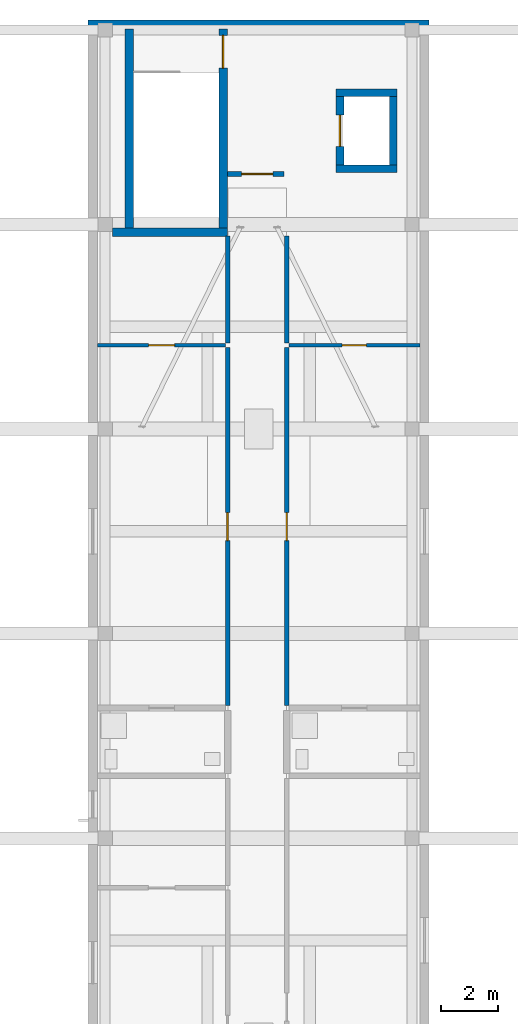
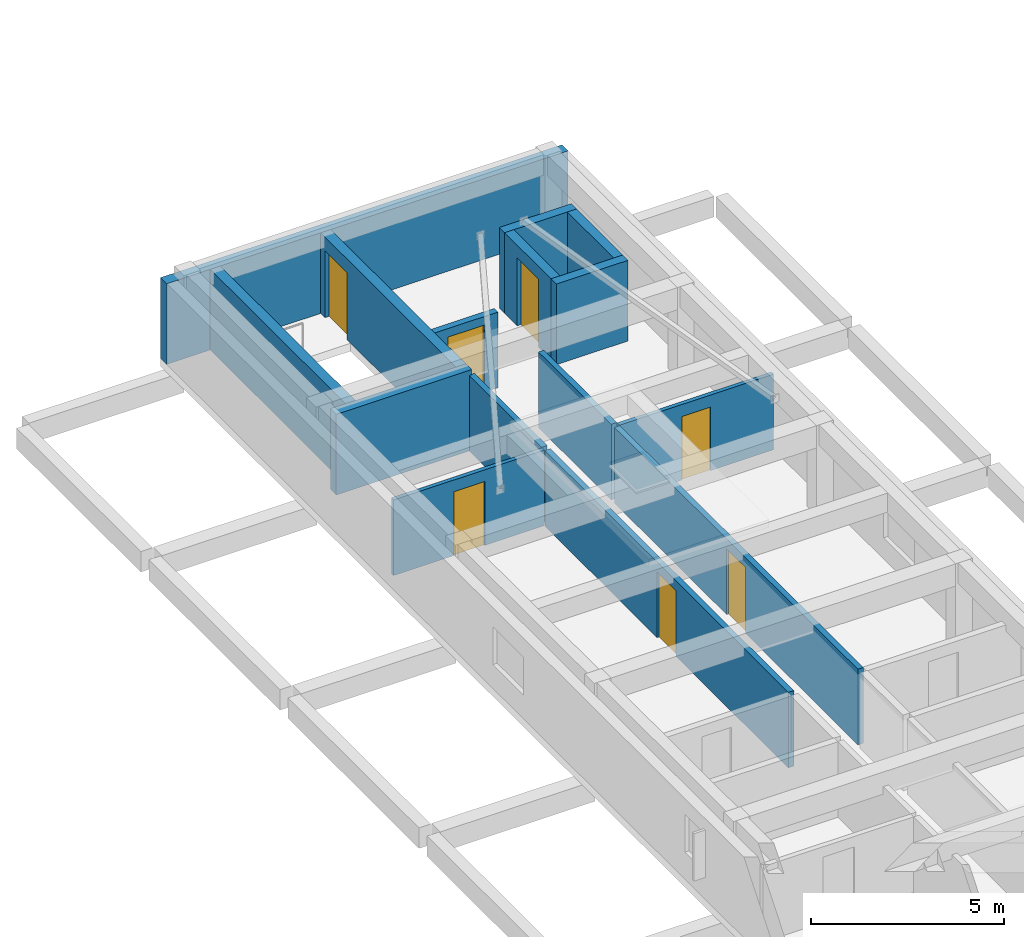
# One storey, part 5 of 9: 15 walls, 7 doors, 7 openings.
"""IFC4 building model written with IfcOpenShell, lengths in metres."""

from ifc_helpers import new_model, si_unit, derived_unit, direction, frame, frame_2d, origin, place, context, subcontext, project, spatial, rectangle, extrude, material, layer, layer_set, type_object, element, fill, save


model = new_model("IFC4")

# Units and contexts
model_context = context("Model", 3, precision=1e-05, world=origin(), true_north=direction((0.0, 1.0)))
body_context = subcontext(model_context, "Body", "Model", "MODEL_VIEW")
ifc_project = project(units=[si_unit("LENGTHUNIT", "METRE"), si_unit("AREAUNIT", "SQUARE_METRE"), si_unit("VOLUMEUNIT", "CUBIC_METRE"), si_unit("PLANEANGLEUNIT", "RADIAN"), si_unit("MASSUNIT", "GRAM", prefix="KILO"), derived_unit("THERMALTRANSMITTANCEUNIT", [(si_unit("MASSUNIT", "GRAM", prefix="KILO"), 1), (si_unit("TIMEUNIT", "SECOND"), -3), (si_unit("THERMODYNAMICTEMPERATUREUNIT", "KELVIN"), -1)])], contexts=[model_context])

# Site, building, storey
site_placement = place(None, origin())
site = spatial("IfcSite", under=ifc_project, at=site_placement, CompositionType="ELEMENT")
building_placement = place(site_placement, origin())
building = spatial("IfcBuilding", under=site, at=building_placement, Name="Ochrekiln Boulevard Commons", CompositionType="ELEMENT")
storey_placement = place(building_placement, frame((0.0, 0.0, 46.72509765625)))
storey = spatial("IfcBuildingStorey", under=building, at=storey_placement, Name="L14", CompositionType="ELEMENT", Elevation=46.72509765625)

# Wall
ifc_material_1 = material(Name="Desert ochre clinker brick masonry ASTM C216 Grade SW", Category="masonry")
ifc_layer_1 = layer(ifc_material_1, 0.320068359375)
ifc_layer_set_1 = layer_set([ifc_layer_1], Name="Desert ochre clinker brick masonry ASTM C216 Grade SW")
wall_type_1 = type_object("IfcWallType", Name="WL-EXT-OCHRE-320", PredefinedType="SOLIDWALL", material=ifc_layer_set_1)
wall_1_placement = place(storey_placement, frame((4.800048828125, 118.639892578125, 0.0), z_axis=(0.0, 0.0, 1.0), x_axis=(1.0, 0.0, 0.0)))
element("IfcWall", 1, at=wall_1_placement, inside=storey, type_object=wall_type_1, Name="Block A L14 N Exterior Wall", PredefinedType="SOLIDWALL", context=body_context, shape_type="SweptSolid", body=[
    extrude(rectangle(XDim=12.0, YDim=0.320068359375, at=frame_2d((6.0, 0.0))), origin(), (0.0, 0.0, 1.0), 2.5498046875),
])

# Wall, opening, door
ifc_material_2 = material(Name="Fire-rated Type X gypsum board on steel studs", Category="steel")
ifc_layer_2 = layer(ifc_material_2, 0.1650390625)
ifc_layer_set_2 = layer_set([ifc_layer_2], Name="Fire-rated Type X gypsum board on steel studs")
wall_type_2 = type_object("IfcWallType", Name="WL-PT-CORR-165", PredefinedType="PARTITIONING", material=ifc_layer_set_2)
wall_2_placement = place(storey_placement, frame((9.7099609375, 94.662109375, 0.0), z_axis=(0.0, 0.0, 1.0), x_axis=(0.0, 1.0, 0.0)))
wall_2 = element("IfcWall", 2, at=wall_2_placement, inside=storey, type_object=wall_type_2, Name="L14 Interior Wall W-PC165", PredefinedType="PARTITIONING", context=body_context, shape_type="SweptSolid", body=[
    extrude(rectangle(XDim=12.60791015625, YDim=0.1650390625, at=frame_2d((6.303955078125, 0.0))), origin(), (0.0, 0.0, 1.0), 2.389892578125),
])
opening_1_placement = place(wall_2_placement, frame((5.81396484375, 0.0, 0.0)))
opening_1 = element("IfcOpeningElement", 3, at=opening_1_placement, cuts=wall_2, Name="Opening D-L14-1368", PredefinedType="OPENING", context=body_context, shape_type="SweptSolid", body=[
    extrude(rectangle(XDim=0.97998046875, YDim=2.080078125, at=frame_2d((0.489990234375, 1.0400390625))), frame((0.0, 0.092529296875, 0.0), z_axis=(0.0, -1.0, 0.0), x_axis=(1.0, 0.0, 0.0)), (0.0, 0.0, 1.0), 0.18505859375),
])
ifc_material_3 = material(Name="Solid core architectural oak door leaf")
door_type_1 = type_object("IfcDoorType", Name="DR-APT-60", OperationType="NOTDEFINED", PredefinedType="DOOR", material=ifc_material_3)
door_1_placement = place(opening_1_placement, origin())
door_1 = element("IfcDoor", 4, at=door_1_placement, inside=storey, type_object=door_type_1, Name="L14 Interior Door to Loft Living Room", OperationType="SINGLE_SWING_RIGHT", OverallHeight=2.080078125, OverallWidth=0.97998046875, PredefinedType="DOOR", context=body_context, shape_type="SweptSolid", body=[
    extrude(rectangle(XDim=0.97998046875, YDim=2.080078125, at=frame_2d((0.489990234375, 1.0400390625))), frame((0.0, 0.02490234375, 0.0), z_axis=(0.0, -1.0, 0.0), x_axis=(1.0, 0.0, 0.0)), (0.0, 0.0, 1.0), 0.050048828125),
])
fill(opening_1, door_1)

# Wall
wall_3_placement = place(storey_placement, frame((9.7099609375, 107.429931640625, 0.0), z_axis=(0.0, 0.0, 1.0), x_axis=(0.0, 1.0, 0.0)))
element("IfcWall", 5, at=wall_3_placement, inside=storey, type_object=wall_type_2, Name="L14 Interior Wall W-PC165", PredefinedType="PARTITIONING", context=body_context, shape_type="SweptSolid", body=[
    extrude(rectangle(XDim=3.77001953125, YDim=0.1650390625, at=frame_2d((1.885009765625, 0.0))), origin(), (0.0, 0.0, 1.0), 2.389892578125),
])

# Wall, opening, door
wall_4_placement = place(storey_placement, frame((11.7900390625, 94.662109375, 0.0), z_axis=(0.0, 0.0, 1.0), x_axis=(0.0, 1.0, 0.0)))
wall_4 = element("IfcWall", 6, at=wall_4_placement, inside=storey, type_object=wall_type_2, Name="L14 Interior Wall W-PC165", PredefinedType="PARTITIONING", context=body_context, shape_type="SweptSolid", body=[
    extrude(rectangle(XDim=12.60791015625, YDim=0.1650390625, at=frame_2d((6.303955078125, 0.0))), origin(), (0.0, 0.0, 1.0), 2.389892578125),
])
opening_2_placement = place(wall_4_placement, frame((5.81396484375, 0.0, 0.0)))
opening_2 = element("IfcOpeningElement", 7, at=opening_2_placement, cuts=wall_4, Name="Opening D-L14-1370", PredefinedType="OPENING", context=body_context, shape_type="SweptSolid", body=[
    extrude(rectangle(XDim=0.97998046875, YDim=2.080078125, at=frame_2d((0.489990234375, 1.0400390625))), frame((0.0, 0.092529296875, 0.0), z_axis=(0.0, -1.0, 0.0), x_axis=(1.0, 0.0, 0.0)), (0.0, 0.0, 1.0), 0.18505859375),
])
door_2_placement = place(opening_2_placement, frame((0.97998046875, 0.0, 0.0), z_axis=(0.0, 0.0, 1.0), x_axis=(-1.0, 0.0, 0.0)))
door_2 = element("IfcDoor", 8, at=door_2_placement, inside=storey, type_object=door_type_1, Name="L14 Interior Door to Loft Living Room", OperationType="SINGLE_SWING_RIGHT", OverallHeight=2.080078125, OverallWidth=0.97998046875, PredefinedType="DOOR", context=body_context, shape_type="SweptSolid", body=[
    extrude(rectangle(XDim=0.97998046875, YDim=2.080078125, at=frame_2d((0.489990234375, 1.0400390625))), frame((0.0, 0.02490234375, 0.0), z_axis=(0.0, -1.0, 0.0), x_axis=(1.0, 0.0, 0.0)), (0.0, 0.0, 1.0), 0.050048828125),
])
fill(opening_2, door_2)

# Wall
wall_5_placement = place(storey_placement, frame((11.7900390625, 107.429931640625, 0.0), z_axis=(0.0, 0.0, 1.0), x_axis=(0.0, 1.0, 0.0)))
element("IfcWall", 9, at=wall_5_placement, inside=storey, type_object=wall_type_2, Name="L14 Interior Wall W-PC165", PredefinedType="PARTITIONING", context=body_context, shape_type="SweptSolid", body=[
    extrude(rectangle(XDim=3.77001953125, YDim=0.1650390625, at=frame_2d((1.885009765625, 0.0))), origin(), (0.0, 0.0, 1.0), 2.389892578125),
])

# Wall, opening, door
ifc_layer_3 = layer(ifc_material_2, 0.18994140625)
ifc_layer_set_3 = layer_set([ifc_layer_3], Name="Fire-rated Type X gypsum board on steel studs")
wall_type_3 = type_object("IfcWallType", Name="WL-PT-LBY-190", PredefinedType="PARTITIONING", material=ifc_layer_set_3)
wall_6_placement = place(storey_placement, frame((9.699951171875, 113.3798828125, 0.0), z_axis=(0.0, 0.0, 1.0), x_axis=(1.0, 0.0, 0.0)))
wall_6 = element("IfcWall", 10, at=wall_6_placement, inside=storey, type_object=wall_type_3, Name="L14 Interior Wall W-PL190", PredefinedType="PARTITIONING", context=body_context, shape_type="SweptSolid", body=[
    extrude(rectangle(XDim=2.0, YDim=0.18994140625, at=frame_2d((1.0, 0.0))), origin(), (0.0, 0.0, 1.0), 2.389892578125),
])
opening_3_placement = place(wall_6_placement, frame((0.5, 0.0, 0.0)))
opening_3 = element("IfcOpeningElement", 11, at=opening_3_placement, cuts=wall_6, Name="Opening D-L14-1365", PredefinedType="OPENING", context=body_context, shape_type="SweptSolid", body=[
    extrude(rectangle(XDim=1.10009765625, YDim=2.1201171875, at=frame_2d((0.550048828125, 1.06005859375))), frame((0.0, 0.10498046875, 0.0), z_axis=(0.0, -1.0, 0.0), x_axis=(1.0, 0.0, 0.0)), (0.0, 0.0, 1.0), 0.2099609375),
])
ifc_material_4 = material(Name="Hollow metal fire-rated steel door assembly", Category="steel")
door_type_2 = type_object("IfcDoorType", Name="DR-LOBBY-60", OperationType="NOTDEFINED", PredefinedType="DOOR", material=ifc_material_4)
door_3_placement = place(opening_3_placement, origin())
door_3 = element("IfcDoor", 12, at=door_3_placement, inside=storey, type_object=door_type_2, Name="L14 Interior Door to Fire Service Access Elevator Lobby", OperationType="SINGLE_SWING_LEFT", OverallHeight=2.1201171875, OverallWidth=1.10009765625, PredefinedType="DOOR", context=body_context, shape_type="SweptSolid", body=[
    extrude(rectangle(XDim=1.10009765625, YDim=2.1201171875, at=frame_2d((0.550048828125, 1.06005859375))), frame((0.0, 0.02490234375, 0.0), z_axis=(0.0, -1.0, 0.0), x_axis=(1.0, 0.0, 0.0)), (0.0, 0.0, 1.0), 0.050048828125),
])
fill(opening_3, door_3)

ifc_layer_4 = layer(ifc_material_2, 0.1201171875)
ifc_layer_set_4 = layer_set([ifc_layer_4], Name="Fire-rated Type X gypsum board on steel studs")
wall_type_4 = type_object("IfcWallType", Name="WL-PT-LGT-120", PredefinedType="PARTITIONING", material=ifc_layer_set_4)
wall_7_placement = place(storey_placement, frame((5.1201171875, 107.35009765625, 0.0), z_axis=(0.0, 0.0, 1.0), x_axis=(1.0, 0.0, 0.0)))
wall_7 = element("IfcWall", 13, at=wall_7_placement, inside=storey, type_object=wall_type_4, Name="L14 Interior Wall W-PL120", PredefinedType="PARTITIONING", context=body_context, shape_type="SweptSolid", body=[
    extrude(rectangle(XDim=4.5078125, YDim=0.1201171875, at=frame_2d((2.25390625, 0.0))), origin(), (0.0, 0.0, 1.0), 2.389892578125),
])
opening_4_placement = place(wall_7_placement, frame((1.804931640625, 0.0, 0.0)))
opening_4 = element("IfcOpeningElement", 14, at=opening_4_placement, cuts=wall_7, Name="Opening D-L14-1374", PredefinedType="OPENING", context=body_context, shape_type="SweptSolid", body=[
    extrude(rectangle(XDim=0.919921875, YDim=2.02001953125, at=frame_2d((0.4599609375, 1.010009765625))), frame((0.0, 0.070068359375, 0.0), z_axis=(0.0, -1.0, 0.0), x_axis=(1.0, 0.0, 0.0)), (0.0, 0.0, 1.0), 0.14013671875),
])
door_type_3 = type_object("IfcDoorType", Name="DR-INT-KIT-092", OperationType="NOTDEFINED", PredefinedType="DOOR", material=ifc_material_3)
door_4_placement = place(opening_4_placement, origin())
door_4 = element("IfcDoor", 15, at=door_4_placement, inside=storey, type_object=door_type_3, Name="L14 Interior Door to Loft Kitchen", OperationType="SINGLE_SWING_RIGHT", OverallHeight=2.02001953125, OverallWidth=0.919921875, PredefinedType="DOOR", context=body_context, shape_type="SweptSolid", body=[
    extrude(rectangle(XDim=0.919921875, YDim=2.02001953125, at=frame_2d((0.4599609375, 1.010009765625))), frame((0.0, 0.02490234375, 0.0), z_axis=(0.0, -1.0, 0.0), x_axis=(1.0, 0.0, 0.0)), (0.0, 0.0, 1.0), 0.050048828125),
])
fill(opening_4, door_4)

wall_8_placement = place(storey_placement, frame((11.8720703125, 107.35009765625, 0.0), z_axis=(0.0, 0.0, 1.0), x_axis=(1.0, 0.0, 0.0)))
wall_8 = element("IfcWall", 16, at=wall_8_placement, inside=storey, type_object=wall_type_4, Name="L14 Interior Wall W-PL120", PredefinedType="PARTITIONING", context=body_context, shape_type="SweptSolid", body=[
    extrude(rectangle(XDim=4.60791015625, YDim=0.1201171875, at=frame_2d((2.303955078125, 0.0))), origin(), (0.0, 0.0, 1.0), 2.389892578125),
])
opening_5_placement = place(wall_8_placement, frame((1.867919921875, 0.0, 0.0)))
opening_5 = element("IfcOpeningElement", 17, at=opening_5_placement, cuts=wall_8, Name="Opening D-L14-1376", PredefinedType="OPENING", context=body_context, shape_type="SweptSolid", body=[
    extrude(rectangle(XDim=0.85009765625, YDim=2.010009765625, at=frame_2d((0.425048828125, 1.0048828125))), frame((0.0, 0.070068359375, 0.0), z_axis=(0.0, -1.0, 0.0), x_axis=(1.0, 0.0, 0.0)), (0.0, 0.0, 1.0), 0.14013671875),
])
door_type_4 = type_object("IfcDoorType", Name="DR-INT-KIT-085", OperationType="NOTDEFINED", PredefinedType="DOOR", material=ifc_material_3)
door_5_placement = place(opening_5_placement, origin())
door_5 = element("IfcDoor", 18, at=door_5_placement, inside=storey, type_object=door_type_4, Name="L14 Interior Door to Loft Kitchen", OperationType="SINGLE_SWING_RIGHT", OverallHeight=2.010009765625, OverallWidth=0.85009765625, PredefinedType="DOOR", context=body_context, shape_type="SweptSolid", body=[
    extrude(rectangle(XDim=0.85009765625, YDim=2.010009765625, at=frame_2d((0.425048828125, 1.0048828125))), frame((0.0, 0.02490234375, 0.0), z_axis=(0.0, -1.0, 0.0), x_axis=(1.0, 0.0, 0.0)), (0.0, 0.0, 1.0), 0.050048828125),
])
fill(opening_5, door_5)

# Walls
ifc_material_5 = material(Name="Concrete C40/50", Category="concrete")
ifc_layer_5 = layer(ifc_material_5, 0.27490234375)
ifc_layer_set_5 = layer_set([ifc_layer_5], Name="Concrete C40/50")
wall_type_5 = type_object("IfcWallType", Name="WL-SH-275", PredefinedType="SHEAR", material=ifc_layer_set_5)
for number, where, z_axis, x_axis, name in (
    (19, (13.52490234375, 113.5625, 0.0), (0.0, 0.0, 1.0), (1.0, 0.0, 0.0), "Elevator FF-A2 L14 Hoistway Shear Wall"),
    (20, (13.52490234375, 116.237548828125, 0.0), (0.0, 0.0, 1.0), (1.0, 0.0, 0.0), "Elevator FF-A2 L14 Hoistway Shear Wall"),
):
    element("IfcWall", number, at=place(storey_placement, frame(where, z_axis=z_axis, x_axis=x_axis)), inside=storey, type_object=wall_type_5, Name=name, PredefinedType="SHEAR", context=body_context, shape_type="SweptSolid", body=[
        extrude(rectangle(XDim=2.150146484375, YDim=0.27490234375, at=frame_2d((1.0751953125, 0.0))), origin(), (0.0, 0.0, 1.0), 2.5498046875),
    ])

# Wall, opening, door
wall_9_placement = place(storey_placement, frame((13.66259765625, 113.699951171875, 0.0), z_axis=(0.0, 0.0, 1.0), x_axis=(0.0, 1.0, 0.0)))
wall_9 = element("IfcWall", 21, at=wall_9_placement, inside=storey, type_object=wall_type_5, Name="Elevator FF-A2 L14 Hoistway Shear Wall", PredefinedType="SHEAR", context=body_context, shape_type="SweptSolid", body=[
    extrude(rectangle(XDim=2.400146484375, YDim=0.27490234375, at=frame_2d((1.2001953125, 0.0))), origin(), (0.0, 0.0, 1.0), 2.5498046875),
])
opening_6_placement = place(wall_9_placement, frame((0.64990234375, 0.0, 0.0)))
opening_6 = element("IfcOpeningElement", 22, at=opening_6_placement, cuts=wall_9, Name="Opening LD-FF-A2-L14", PredefinedType="OPENING", context=body_context, shape_type="SweptSolid", body=[
    extrude(rectangle(XDim=1.10009765625, YDim=2.14990234375, at=frame_2d((0.550048828125, 1.074951171875))), frame((0.0, 0.1474609375, 0.0), z_axis=(0.0, -1.0, 0.0), x_axis=(1.0, 0.0, 0.0)), (0.0, 0.0, 1.0), 0.294921875),
])
ifc_material_6 = material(Name="Brushed stainless steel 316 elevator cab and doors", Category="steel")
door_type_5 = type_object("IfcDoorType", Name="DR-LIFT-LD90", OperationType="SLIDING_TO_LEFT", PredefinedType="DOOR", material=ifc_material_6)
door_6_placement = place(opening_6_placement, origin())
door_6 = element("IfcDoor", 23, at=door_6_placement, inside=storey, type_object=door_type_5, Name="Elevator FF-A2 L14 Sliding Landing Door LD-FF-A2-L14", OperationType="SLIDING_TO_LEFT", OverallHeight=2.14990234375, OverallWidth=1.10009765625, PredefinedType="DOOR", context=body_context, shape_type="SweptSolid", body=[
    extrude(rectangle(XDim=1.10009765625, YDim=2.14990234375, at=frame_2d((0.550048828125, 1.074951171875))), frame((0.0, 0.02490234375, 0.0), z_axis=(0.0, -1.0, 0.0), x_axis=(1.0, 0.0, 0.0)), (0.0, 0.0, 1.0), 0.050048828125),
])
fill(opening_6, door_6)

# Walls
wall_10_placement = place(storey_placement, frame((15.53759765625, 113.699951171875, 0.0), z_axis=(0.0, 0.0, 1.0), x_axis=(0.0, 1.0, 0.0)))
element("IfcWall", 24, at=wall_10_placement, inside=storey, type_object=wall_type_5, Name="Elevator FF-A2 L14 Hoistway Shear Wall", PredefinedType="SHEAR", context=body_context, shape_type="SweptSolid", body=[
    extrude(rectangle(XDim=2.400146484375, YDim=0.27490234375, at=frame_2d((1.2001953125, 0.0))), origin(), (0.0, 0.0, 1.0), 2.5498046875),
])
ifc_layer_6 = layer(ifc_material_5, 0.300048828125)
ifc_layer_set_6 = layer_set([ifc_layer_6], Name="Concrete C40/50")
wall_type_6 = type_object("IfcWallType", Name="WL-SH-300", PredefinedType="SHEAR", material=ifc_layer_set_6)
wall_11_placement = place(storey_placement, frame((5.64990234375, 111.330078125, 0.0), z_axis=(0.0, 0.0, 1.0), x_axis=(1.0, 0.0, 0.0)))
element("IfcWall", 25, at=wall_11_placement, inside=storey, type_object=wall_type_6, Name="Stair ST-A2 L14 Core Shear Wall S", PredefinedType="SHEAR", context=body_context, shape_type="SweptSolid", body=[
    extrude(rectangle(XDim=4.050048828125, YDim=0.300048828125, at=frame_2d((2.02490234375, 0.0))), origin(), (0.0, 0.0, 1.0), 2.5498046875),
])
wall_12_placement = place(storey_placement, frame((6.25, 111.47998046875, 0.0), z_axis=(0.0, 0.0, 1.0), x_axis=(0.0, 1.0, 0.0)))
element("IfcWall", 26, at=wall_12_placement, inside=storey, type_object=wall_type_6, Name="Stair ST-A2 L14 Core Shear Wall W", PredefinedType="SHEAR", context=body_context, shape_type="SweptSolid", body=[
    extrude(rectangle(XDim=7.0, YDim=0.300048828125, at=frame_2d((3.5, 0.0))), origin(), (0.0, 0.0, 1.0), 2.5498046875),
])

# Wall, opening, door
wall_13_placement = place(storey_placement, frame((9.550048828125, 111.47998046875, 0.0), z_axis=(0.0, 0.0, 1.0), x_axis=(0.0, 1.0, 0.0)))
wall_13 = element("IfcWall", 27, at=wall_13_placement, inside=storey, type_object=wall_type_6, Name="Stair ST-A2 L14 Core Shear Wall E", PredefinedType="SHEAR", context=body_context, shape_type="SweptSolid", body=[
    extrude(rectangle(XDim=7.0, YDim=0.300048828125, at=frame_2d((3.5, 0.0))), origin(), (0.0, 0.0, 1.0), 2.5498046875),
])
opening_7_placement = place(wall_13_placement, frame((5.625, 0.0, 0.0)))
opening_7 = element("IfcOpeningElement", 28, at=opening_7_placement, cuts=wall_13, Name="Opening D-L14-ST-A2", PredefinedType="OPENING", context=body_context, shape_type="SweptSolid", body=[
    extrude(rectangle(XDim=1.14990234375, YDim=2.1201171875, at=frame_2d((0.574951171875, 1.06005859375))), frame((0.0, 0.159912109375, 0.0), z_axis=(0.0, -1.0, 0.0), x_axis=(1.0, 0.0, 0.0)), (0.0, 0.0, 1.0), 0.320068359375),
])
door_type_6 = type_object("IfcDoorType", Name="DR-STAIR-90", OperationType="NOTDEFINED", PredefinedType="DOOR", material=ifc_material_4)
door_7_placement = place(opening_7_placement, origin())
door_7 = element("IfcDoor", 29, at=door_7_placement, inside=storey, type_object=door_type_6, Name="Enclosed Exit Stair ST-A2 L14 Rated Door", OperationType="SINGLE_SWING_RIGHT", OverallHeight=2.1201171875, OverallWidth=1.14990234375, PredefinedType="DOOR", context=body_context, shape_type="SweptSolid", body=[
    extrude(rectangle(XDim=1.14990234375, YDim=2.1201171875, at=frame_2d((0.574951171875, 1.06005859375))), frame((0.0, 0.02490234375, 0.0), z_axis=(0.0, -1.0, 0.0), x_axis=(1.0, 0.0, 0.0)), (0.0, 0.0, 1.0), 0.050048828125),
])
fill(opening_7, door_7)

save(model, "model.ifc")
